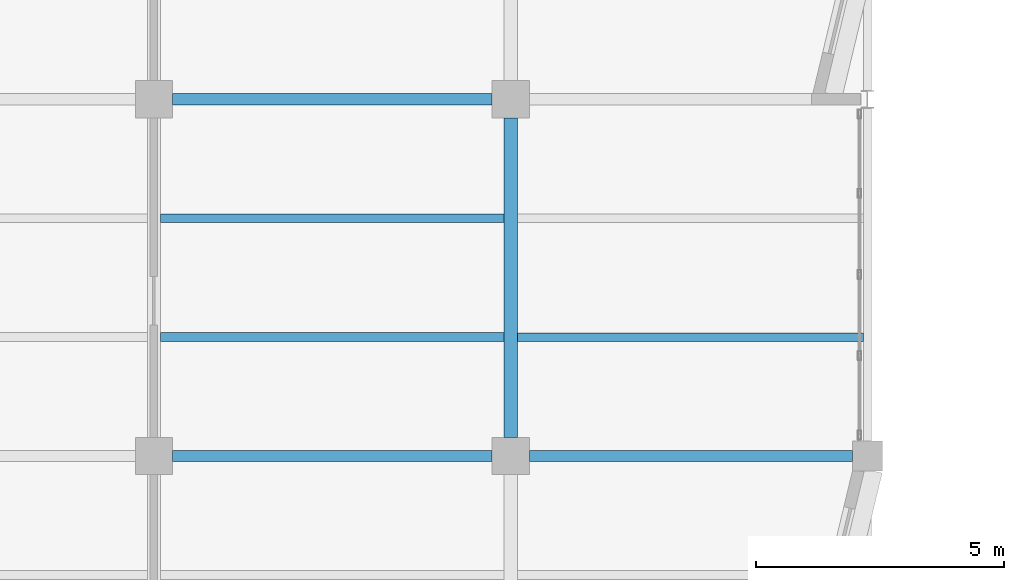
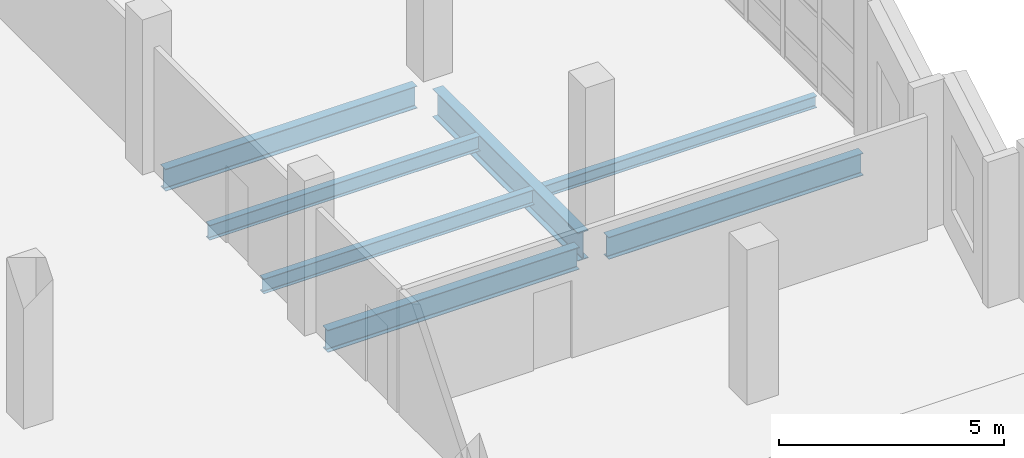
# One storey, part 37 of 94: 7 beams.
"""IFC4 building model written with IfcOpenShell, lengths in metres."""

import ifcopenshell
import ifcopenshell.guid

model = None  # the IFC model being written
_history = None  # IfcOwnerHistory: only IFC2X3 demands one
_inside = {}  # id of a spatial element -> (the spatial element, [elements in it])
_under = {}  # id of a project, library or spatial element -> (it, [spatial elements below it])
_declared = {}  # id of a project -> (the project, [libraries it declares])
_typed = {}  # id of a type object -> (the type object, [elements of that type])
_made_of = {}  # id of a material, layer set ... -> (it, [elements and type objects made of it])


def new_model(schema):
    """Start an empty IFC model of exactly this schema.

    Asked for "IFC4X3", IfcOpenShell would pick the latest addendum, in which some entities
    have other attributes; the version numbers below select the first issue.
    IFC2X3 requires an IfcOwnerHistory on every rooted entity: one is made here for all.
    """
    global model, _history
    if schema == "IFC4X3":
        model = ifcopenshell.file(schema_version=(4, 3, 0, 0))
    else:
        model = ifcopenshell.file(schema=schema)
    _inside.clear()
    _under.clear()
    _declared.clear()
    _typed.clear()
    _made_of.clear()
    _history = None
    if model.schema == "IFC2X3":
        org = make("IfcOrganization", Name="unknown")
        user = make(
            "IfcPersonAndOrganization",
            ThePerson=make("IfcPerson", FamilyName="unknown"),
            TheOrganization=org,
        )
        app = make(
            "IfcApplication",
            ApplicationDeveloper=org,
            Version="unknown",
            ApplicationFullName="unknown",
            ApplicationIdentifier="unknown",
        )
        _history = make(
            "IfcOwnerHistory",
            OwningUser=user,
            OwningApplication=app,
            ChangeAction="ADDED",
            CreationDate=0,
        )
    return model


def make(cls, **values):
    """One entity of the class cls with the attributes given. An attribute that is None is left unset."""
    return model.create_entity(
        cls, **{name: value for name, value in values.items() if value is not None}
    )


def rooted(cls, **values):
    """An entity with a GlobalId (a new one), such as an element, a storey or a relation."""
    return make(cls, GlobalId=ifcopenshell.guid.new(), OwnerHistory=_history, **values)


def si_unit(unit_type, name, prefix=None):
    """IfcSIUnit, for example si_unit("LENGTHUNIT", "METRE", prefix="MILLI")."""
    return make("IfcSIUnit", UnitType=unit_type, Prefix=prefix, Name=name)


def assignment(units):
    """IfcUnitAssignment: the units of a project."""
    return None if units is None else make("IfcUnitAssignment", Units=units)


def point(xyz):
    """IfcCartesianPoint."""
    return None if xyz is None else make("IfcCartesianPoint", Coordinates=xyz)


def direction(xyz):
    """IfcDirection."""
    return None if xyz is None else make("IfcDirection", DirectionRatios=xyz)


def frame(location, z_axis=None, x_axis=None):
    """IfcAxis2Placement3D, a coordinate frame: its origin and axes. An axis left out is left unset."""
    return make(
        "IfcAxis2Placement3D",
        Location=point(location),
        Axis=direction(z_axis),
        RefDirection=direction(x_axis),
    )


def frame_2d(location, x_axis=None):
    """IfcAxis2Placement2D, a coordinate frame in the plane: its origin and x axis."""
    return make(
        "IfcAxis2Placement2D", Location=point(location), RefDirection=direction(x_axis)
    )


def origin():
    """The frame at (0, 0, 0) with its axes left unset."""
    return frame((0.0, 0.0, 0.0))


def origin_2d():
    """The frame at (0, 0) in the plane with its x axis left unset."""
    return frame_2d((0.0, 0.0))


def place(relative_to, where):
    """IfcLocalPlacement: puts the frame where relative to a parent placement (None: the world)."""
    return make(
        "IfcLocalPlacement", PlacementRelTo=relative_to, RelativePlacement=where
    )


def context(
    kind, dimensions, precision=None, world=None, true_north=None, identifier=None
):
    """IfcGeometricRepresentationContext, for example the 3D "Model" context."""
    return make(
        "IfcGeometricRepresentationContext",
        ContextIdentifier=identifier,
        ContextType=kind,
        CoordinateSpaceDimension=dimensions,
        Precision=precision,
        WorldCoordinateSystem=world,
        TrueNorth=true_north,
    )


def subcontext(parent, identifier, kind, view, scale=None):
    """IfcGeometricRepresentationSubContext, for example "Body" below "Model"."""
    return make(
        "IfcGeometricRepresentationSubContext",
        ContextIdentifier=identifier,
        ContextType=kind,
        ParentContext=parent,
        TargetScale=scale,
        TargetView=view,
    )


def project(units=None, contexts=None):
    """IfcProject with its units and contexts."""
    return rooted(
        "IfcProject",
        Name="project",
        RepresentationContexts=contexts,
        UnitsInContext=assignment(units),
    )


def spatial(cls, under=None, at=None, **own):
    """A site, building, storey or space (cls), placed at a placement, below another one or the project."""
    s = rooted(cls, ObjectPlacement=at, **own)
    if under is not None:
        _under.setdefault(under.id(), (under, []))[1].append(s)
    return s


def profile(cls, at=None, kind="AREA", **sizes):
    """A parametric profile (cls). Its sizes go by their IFC names, for example OverallWidth=200.0."""
    return make(cls, ProfileType=kind, Position=at, **sizes)


def i_section(**sizes):
    """IfcIShapeProfileDef."""
    return profile("IfcIShapeProfileDef", **sizes)


def extrude(swept, where, along, depth):
    """IfcExtrudedAreaSolid: the profile swept, set in the frame where, extruded along a direction by depth."""
    return make(
        "IfcExtrudedAreaSolid",
        SweptArea=swept,
        Position=where,
        ExtrudedDirection=direction(along),
        Depth=depth,
    )


def shape(context_of_items, identifier, shape_type, items):
    """IfcShapeRepresentation: the items that make up one representation, for example the "Body"."""
    return make(
        "IfcShapeRepresentation",
        ContextOfItems=context_of_items,
        RepresentationIdentifier=identifier,
        RepresentationType=shape_type,
        Items=items,
    )


def material(Name=None, Category=None):
    """IfcMaterial."""
    return make("IfcMaterial", Name=Name, Category=Category)


def material_profile(
    of_material, cross_section, Name=None, Category=None, Priority=None
):
    """IfcMaterialProfile: a cross section and its material."""
    return make(
        "IfcMaterialProfile",
        Name=Name,
        Material=of_material,
        Profile=cross_section,
        Priority=Priority,
        Category=Category,
    )


def profile_set(profiles, Name=None, composite=None):
    """IfcMaterialProfileSet."""
    return make(
        "IfcMaterialProfileSet",
        Name=Name,
        MaterialProfiles=profiles,
        CompositeProfile=composite,
    )


def made_of(thing, what):
    """Note that an element or type object is made of a material, layer set ...; save() writes the relation."""
    if what is not None:
        _made_of.setdefault(what.id(), (what, []))[1].append(thing)
    return thing


def type_object(cls, material=None, **own):
    """A type object (cls), such as IfcWallType, which elements share."""
    return made_of(rooted(cls, **own), material)


def element(
    cls,
    number,
    at=None,
    inside=None,
    cuts=None,
    type_object=None,
    material=None,
    context=None,
    identifier="Body",
    shape_type=None,
    held_by="IfcProductDefinitionShape",
    body=None,
    shapes=None,
    **own,
):
    """One element of the class cls, such as IfcWall. Its Tag is "e" and its number.

    at: its placement. inside: the storey or other place that contains it. cuts: it is an
    opening in that element (IfcRelVoidsElement). A single representation is given by context,
    identifier, shape_type and body (its items); several are given by shapes. held_by: the class
    of the entity that holds the representations. save() writes the other relations.
    """
    e = rooted(cls, Tag="e%d" % number, ObjectPlacement=at, **own)
    if body is not None:
        shapes = [shape(context, identifier, shape_type, body)]
    if shapes is not None:
        e.Representation = make(held_by, Representations=shapes)
    if inside is not None:
        _inside.setdefault(inside.id(), (inside, []))[1].append(e)
    if cuts is not None:
        rooted(
            "IfcRelVoidsElement", RelatingBuildingElement=cuts, RelatedOpeningElement=e
        )
    if type_object is not None:
        _typed.setdefault(type_object.id(), (type_object, []))[1].append(e)
    return made_of(e, material)


def aggregate(whole, parts):
    """IfcRelAggregates: a whole, such as a stair, and the parts it consists of."""
    return rooted("IfcRelAggregates", RelatingObject=whole, RelatedObjects=parts)


def save(model, path):
    """Write the relations noted so far, then the file.

    IfcRelAggregates (storeys below a building ...), IfcRelContainedInSpatialStructure (elements
    in a storey), IfcRelDefinesByType, IfcRelAssociatesMaterial and IfcRelDeclares: one each for
    every whole, place, type object, material and project.
    """
    for whole, parts in _under.values():
        aggregate(whole, parts)
    for where, things in _inside.values():
        rooted(
            "IfcRelContainedInSpatialStructure",
            RelatedElements=things,
            RelatingStructure=where,
        )
    for kind, things in _typed.values():
        rooted("IfcRelDefinesByType", RelatedObjects=things, RelatingType=kind)
    for what, things in _made_of.values():
        rooted("IfcRelAssociatesMaterial", RelatedObjects=things, RelatingMaterial=what)
    for by, libraries in _declared.values():
        rooted("IfcRelDeclares", RelatingContext=by, RelatedDefinitions=libraries)
    model.write(path)


model = new_model("IFC4")

# Units and contexts
model_context = context("Model", 3, precision=1e-05, world=origin(), true_north=direction((0.0, 1.0)))
body_context = subcontext(model_context, "Body", "Model", "MODEL_VIEW")
ifc_project = project(units=[si_unit("LENGTHUNIT", "METRE"), si_unit("AREAUNIT", "SQUARE_METRE"), si_unit("VOLUMEUNIT", "CUBIC_METRE"), si_unit("PLANEANGLEUNIT", "RADIAN"), si_unit("MASSUNIT", "GRAM", prefix="KILO")], contexts=[model_context])

# Site, building, storey
site_placement = place(None, origin())
site = spatial("IfcSite", under=ifc_project, at=site_placement, CompositionType="ELEMENT")
building_placement = place(site_placement, origin())
building = spatial("IfcBuilding", under=site, at=building_placement, Name="Kalmorath City Hall", CompositionType="ELEMENT")
storey_placement = place(building_placement, frame((0.0, 0.0, 14.699951171875)))
storey = spatial("IfcBuildingStorey", under=building, at=storey_placement, Name="L03", CompositionType="ELEMENT", Elevation=14.699951171875)

# Beams
ifc_material_1 = material(Name="Steel ASTM A992 Grade 50", Category="steel")
ifc_material_profile_1 = material_profile(ifc_material_1, i_section(OverallWidth=0.177001953125, OverallDepth=0.403076171875, WebThickness=0.007568359375, FlangeThickness=0.010986328125, FilletRadius=0.012939453125, at=origin_2d()), Name="W16X36")
ifc_profile_set_1 = profile_set([ifc_material_profile_1], Name="Steel ASTM A992 Grade 50")
beam_type_1 = type_object("IfcBeamType", Name="Steel composite joist W16X36", PredefinedType="JOIST", material=ifc_profile_set_1)
for number, where, z_axis, x_axis, name in (
    (1, (14.533935546875, 74.39990234375, -0.46533203125), (1.0, 0.0, 0.0), (0.0, 1.0, 0.0), "L03 joist SJ7 3.11.1"),
    (2, (14.533935546875, 76.800048828125, -0.46533203125), (1.0, 0.0, 0.0), (0.0, 1.0, 0.0), "L03 joist SJ7 3.11.2"),
):
    element("IfcBeam", number, at=place(storey_placement, frame(where, z_axis=z_axis, x_axis=x_axis)), inside=storey, type_object=beam_type_1, Name=name, PredefinedType="JOIST", context=body_context, shape_type="SweptSolid", body=[
        extrude(i_section(OverallWidth=0.177001953125, OverallDepth=0.403076171875, WebThickness=0.007568359375, FlangeThickness=0.010986328125, FilletRadius=0.012939453125, at=origin_2d()), origin(), (0.0, 0.0, 1.0), 6.93212890625),
    ])
ifc_material_2 = material(Name="Steel ASTM A992 Grade 50", Category="steel")
ifc_material_profile_2 = material_profile(ifc_material_2, i_section(OverallWidth=0.22802734375, OverallDepth=0.60302734375, WebThickness=0.010498046875, FlangeThickness=0.014892578125, FilletRadius=0.01611328125, at=origin_2d()), Name="W24X68")
ifc_profile_set_2 = profile_set([ifc_material_profile_2], Name="Steel ASTM A992 Grade 50")
beam_type_2 = type_object("IfcBeamType", Name="Steel floor girder W24X68", PredefinedType="BEAM", material=ifc_profile_set_2)
beam_1_placement = place(storey_placement, frame((14.77490234375, 72.0, -0.5654296875), z_axis=(1.0, 0.0, 0.0), x_axis=(0.0, 1.0, 0.0)))
element("IfcBeam", 3, at=beam_1_placement, inside=storey, type_object=beam_type_2, Name="L03 girder SG9 X3-4/11", PredefinedType="BEAM", context=body_context, shape_type="SweptSolid", body=[
    extrude(i_section(OverallWidth=0.22802734375, OverallDepth=0.60302734375, WebThickness=0.010498046875, FlangeThickness=0.014892578125, FilletRadius=0.01611328125, at=origin_2d()), origin(), (0.0, 0.0, 1.0), 6.4501953125),
])
beam_2_placement = place(storey_placement, frame((21.97509765625, 72.0, -0.5654296875), z_axis=(1.0, 0.0, 0.0), x_axis=(0.0, 1.0, 0.0)))
element("IfcBeam", 4, at=beam_2_placement, inside=storey, type_object=beam_type_2, Name="L03 girder SG9 X4-5/11", PredefinedType="BEAM", context=body_context, shape_type="SweptSolid", body=[
    extrude(i_section(OverallWidth=0.22802734375, OverallDepth=0.60302734375, WebThickness=0.010498046875, FlangeThickness=0.014892578125, FilletRadius=0.01611328125, at=origin_2d()), origin(), (0.0, 0.0, 1.0), 6.52490234375),
])
beam_3_placement = place(storey_placement, frame((14.77490234375, 79.199951171875, -0.5654296875), z_axis=(1.0, 0.0, 0.0), x_axis=(0.0, 1.0, 0.0)))
element("IfcBeam", 5, at=beam_3_placement, inside=storey, type_object=beam_type_2, Name="L03 girder SG9 X3-4/12", PredefinedType="BEAM", context=body_context, shape_type="SweptSolid", body=[
    extrude(i_section(OverallWidth=0.22802734375, OverallDepth=0.60302734375, WebThickness=0.010498046875, FlangeThickness=0.014892578125, FilletRadius=0.01611328125, at=origin_2d()), origin(), (0.0, 0.0, 1.0), 6.4501953125),
])
ifc_material_3 = material(Name="Steel ASTM A992 Grade 50", Category="steel")
ifc_material_profile_3 = material_profile(ifc_material_3, i_section(OverallWidth=0.1669921875, OverallDepth=0.318115234375, WebThickness=0.007568359375, FlangeThickness=0.01318359375, FilletRadius=0.012939453125, at=origin_2d()), Name="W12X35")
ifc_profile_set_3 = profile_set([ifc_material_profile_3], Name="Steel ASTM A992 Grade 50")
beam_type_3 = type_object("IfcBeamType", Name="Steel header lintel W12X35", PredefinedType="LINTEL", material=ifc_profile_set_3)
beam_4_placement = place(storey_placement, frame((21.73388671875, 74.39990234375, -0.4228515625), z_axis=(1.0, 0.0, 0.0), x_axis=(0.0, 1.0, 0.0)))
element("IfcBeam", 6, at=beam_4_placement, inside=storey, type_object=beam_type_3, Name="L03 joist SJ13 4.11.1", PredefinedType="LINTEL", context=body_context, shape_type="SweptSolid", body=[
    extrude(i_section(OverallWidth=0.1669921875, OverallDepth=0.318115234375, WebThickness=0.007568359375, FlangeThickness=0.01318359375, FilletRadius=0.012939453125, at=origin_2d()), origin(), (0.0, 0.0, 1.0), 6.983642578125),
])
ifc_material_4 = material(Name="Steel ASTM A992 Grade 50", Category="steel")
ifc_material_profile_4 = material_profile(ifc_material_4, i_section(OverallWidth=0.26806640625, OverallDepth=0.77001953125, WebThickness=0.015625, FlangeThickness=0.025390625, FilletRadius=0.02001953125, at=origin_2d()), Name="W30X132")
ifc_profile_set_4 = profile_set([ifc_material_profile_4], Name="Steel ASTM A992 Grade 50")
beam_type_4 = type_object("IfcBeamType", Name="Steel primary girder W30X132", PredefinedType="BEAM", material=ifc_profile_set_4)
beam_5_placement = place(storey_placement, frame((21.60009765625, 72.375, -0.64892578125), z_axis=(0.0, 1.0, 0.0), x_axis=(-1.0, 0.0, 0.0)))
element("IfcBeam", 7, at=beam_5_placement, inside=storey, type_object=beam_type_4, Name="L03 girder SG3 Y4/11-12", PredefinedType="BEAM", context=body_context, shape_type="SweptSolid", body=[
    extrude(i_section(OverallWidth=0.26806640625, OverallDepth=0.77001953125, WebThickness=0.015625, FlangeThickness=0.025390625, FilletRadius=0.02001953125, at=origin_2d()), origin(), (0.0, 0.0, 1.0), 6.449951171875),
])

save(model, "model.ifc")
